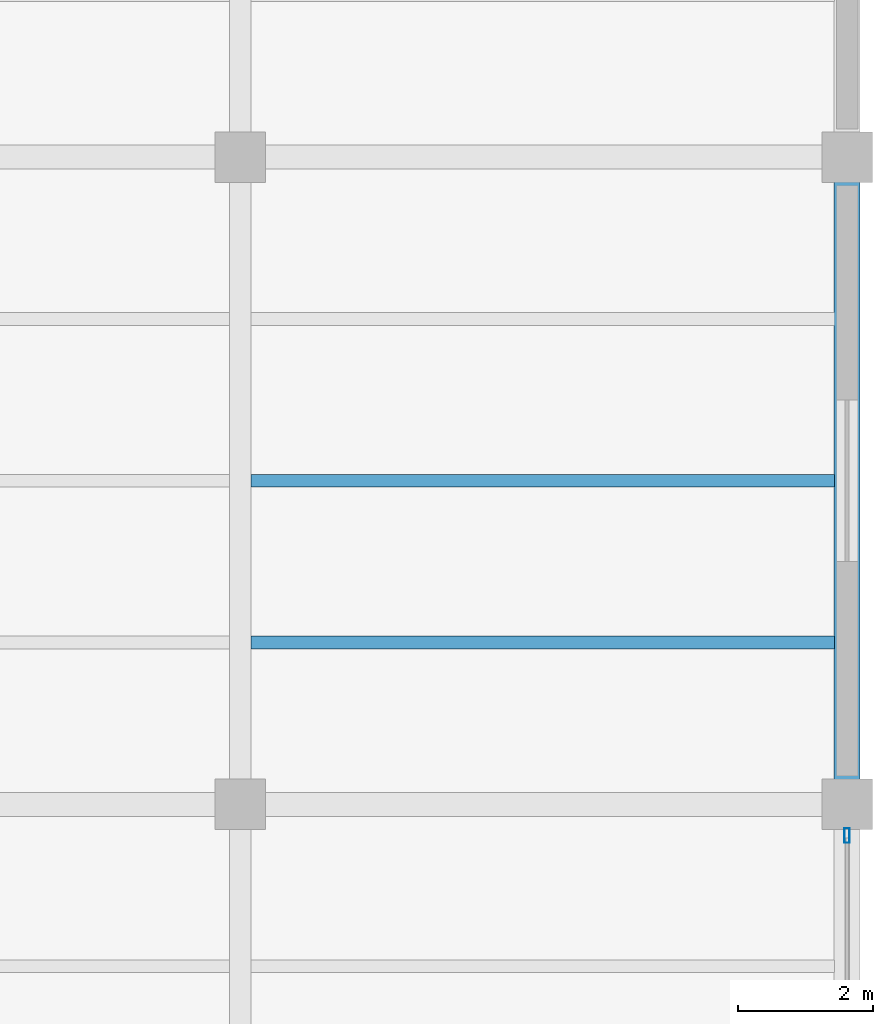
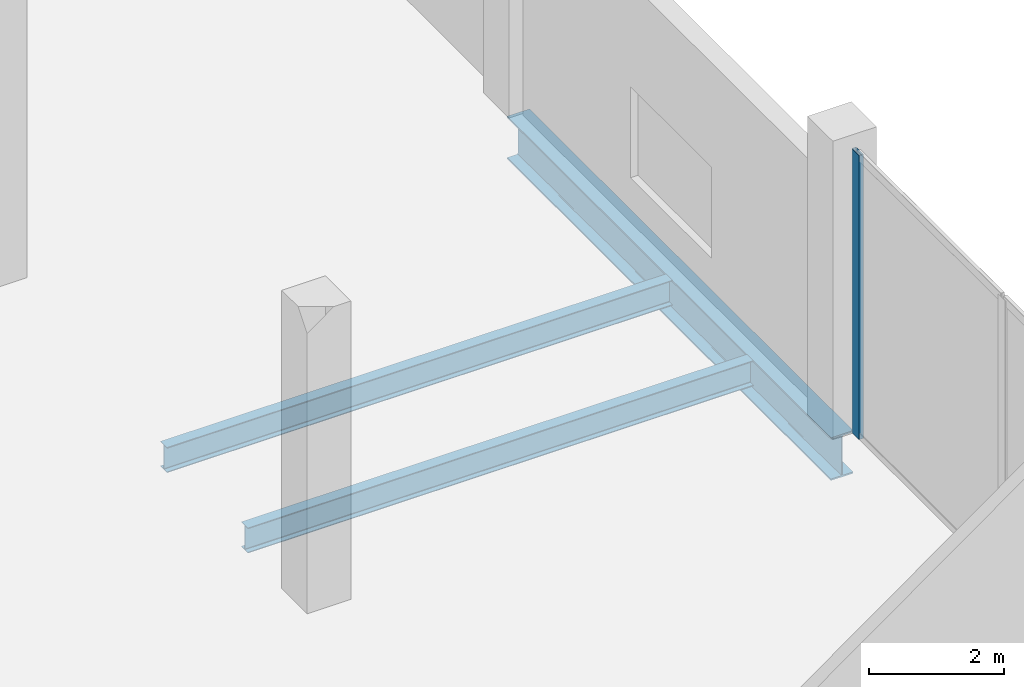
# One storey, part 24 of 47: 3 beams, 1 member, 1 element without a shape of its own.
"""IFC4 building model written with IfcOpenShell, lengths in metres."""

from ifc_helpers import new_model, si_unit, direction, frame, origin, origin_2d, place, context, subcontext, project, spatial, hollow_rectangle, i_section, extrude, material, layer, layer_set, material_profile, profile_set, type_object, element, aggregate, save


model = new_model("IFC4")

# Units and contexts
model_context = context("Model", 3, precision=1e-05, world=origin(), true_north=direction((0.0, 1.0)))
body_context = subcontext(model_context, "Body", "Model", "MODEL_VIEW")
ifc_project = project(units=[si_unit("LENGTHUNIT", "METRE"), si_unit("AREAUNIT", "SQUARE_METRE"), si_unit("VOLUMEUNIT", "CUBIC_METRE"), si_unit("PLANEANGLEUNIT", "RADIAN"), si_unit("MASSUNIT", "GRAM", prefix="KILO")], contexts=[model_context])

# Site, building, storey
site_placement = place(None, origin())
site = spatial("IfcSite", under=ifc_project, at=site_placement, CompositionType="ELEMENT")
building_placement = place(site_placement, origin())
building = spatial("IfcBuilding", under=site, at=building_placement, Name="Qorvath Tower", CompositionType="ELEMENT")
storey_placement = place(building_placement, frame((0.0, 0.0, 6.60009765625)))
storey = spatial("IfcBuildingStorey", under=building, at=storey_placement, Name="L01", CompositionType="ELEMENT", Elevation=6.60009765625)

# Beams
ifc_material_1 = material(Name="Steel ASTM A992 Grade 50", Category="steel")
ifc_material_profile_1 = material_profile(ifc_material_1, i_section(OverallWidth=0.381103515625, OverallDepth=0.77294921875, WebThickness=0.0166015625, FlangeThickness=0.027099609375, FilletRadius=0.01904296875, at=origin_2d()), Name="W30x173")
ifc_profile_set_1 = profile_set([ifc_material_profile_1], Name="Steel ASTM A992 Grade 50")
beam_type_1 = type_object("IfcBeamType", Name="BM-FG3", PredefinedType="BEAM", material=ifc_profile_set_1)
beam_placement = place(storey_placement, frame((77.39990234375, 19.199951171875, -0.646484375), z_axis=(0.0, 1.0, 0.0), x_axis=(-1.0, 0.0, 0.0)))
element("IfcBeam", 1, at=beam_placement, inside=storey, type_object=beam_type_1, Name="Library N-S Girder L01-6-7", PredefinedType="BEAM", context=body_context, shape_type="SweptSolid", body=[
    extrude(i_section(OverallWidth=0.381103515625, OverallDepth=0.77294921875, WebThickness=0.0166015625, FlangeThickness=0.027099609375, FilletRadius=0.01904296875, at=origin_2d()), origin(), (0.0, 0.0, 1.0), 9.60009765625),
])
ifc_material_2 = material(Name="Steel ASTM A992 Grade 50", Category="steel")
ifc_material_profile_2 = material_profile(ifc_material_2, i_section(OverallWidth=0.18994140625, OverallDepth=0.45703125, WebThickness=0.009033203125, FlangeThickness=0.014404296875, FilletRadius=0.011962890625, at=origin_2d()), Name="W18x50")
ifc_profile_set_2 = profile_set([ifc_material_profile_2], Name="Steel ASTM A992 Grade 50")
beam_type_2 = type_object("IfcBeamType", Name="BM-FJ2", PredefinedType="JOIST", material=ifc_profile_set_2)
for number, where, z_axis, x_axis, name in (
    (2, (68.560546875, 21.60009765625, -0.488525390625), (1.0, 0.0, 0.0), (0.0, 1.0, 0.0), "Library Stack Joist L01-7.1-5"),
    (3, (68.560546875, 24.0, -0.488525390625), (1.0, 0.0, 0.0), (0.0, 1.0, 0.0), "Library Stack Joist L01-7.2-5"),
):
    element("IfcBeam", number, at=place(storey_placement, frame(where, z_axis=z_axis, x_axis=x_axis)), inside=storey, type_object=beam_type_2, Name=name, PredefinedType="JOIST", context=body_context, shape_type="SweptSolid", body=[
        extrude(i_section(OverallWidth=0.18994140625, OverallDepth=0.45703125, WebThickness=0.009033203125, FlangeThickness=0.014404296875, FilletRadius=0.011962890625, at=origin_2d()), origin(), (0.0, 0.0, 1.0), 8.65087890625),
    ])

# Curtain wall, member
ifc_material_3 = material(Name="Anodised aluminium and triple low-E glass", Category="aluminium")
ifc_layer = layer(ifc_material_3, 0.179931640625)
ifc_layer_set = layer_set([ifc_layer], Name="CW-SYS-6")
curtain_wall_type = type_object("IfcCurtainWallType", Name="CW-SYS-6", PredefinedType="NOTDEFINED", material=ifc_layer_set)
curtain_wall_placement = place(storey_placement, origin())
curtain_wall = element("IfcCurtainWall", 4, at=curtain_wall_placement, inside=storey, type_object=curtain_wall_type, Name="Curtain Wall CW-6 CW-LIB-E-L01-6", PredefinedType="NOTDEFINED")
ifc_material_4 = material(Name="Anodised aluminium 6063-T6", Category="aluminium")
ifc_material_profile_3 = material_profile(ifc_material_4, hollow_rectangle(XDim=0.080078125, YDim=0.219970703125, WallThickness=0.00439453125, InnerFilletRadius=0.00439453125, OuterFilletRadius=0.009033203125, at=origin_2d()), Name="CWM LIB 220x80")
ifc_profile_set_3 = profile_set([ifc_material_profile_3], Name="Anodised aluminium 6063-T6")
member_type = type_object("IfcMemberType", Name="CWM-LIB", PredefinedType="MULLION", material=ifc_profile_set_3)
member_placement = place(storey_placement, frame((77.39990234375, 18.739990234375, 0.0), z_axis=(0.0, 0.0, 1.0), x_axis=(-1.0, 0.0, 0.0)))
member = element("IfcMember", 5, at=member_placement, type_object=member_type, Name="CW-6 mullion 3", PredefinedType="MULLION", context=body_context, shape_type="SweptSolid", body=[
    extrude(hollow_rectangle(XDim=0.080078125, YDim=0.219970703125, WallThickness=0.00439453125, InnerFilletRadius=0.00439453125, OuterFilletRadius=0.009033203125, at=origin_2d()), origin(), (0.0, 0.0, 1.0), 5.139892578125),
])
aggregate(curtain_wall, [member])

save(model, "model.ifc")
